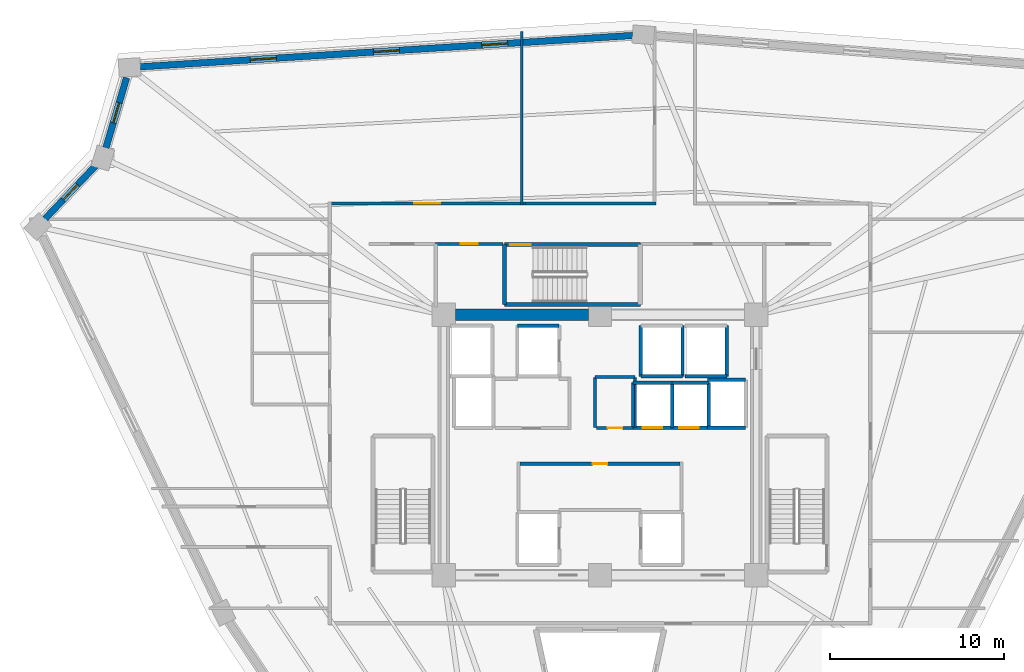
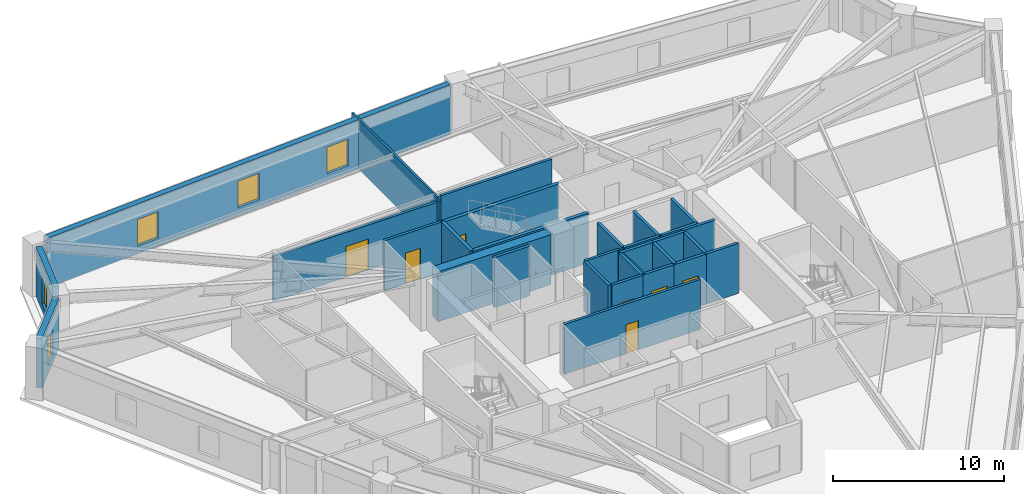
# One storey, part 5 of 9: 31 walls, 7 doors, 5 windows, 12 openings.
"""IFC4 building model written with IfcOpenShell, lengths in metres."""

from ifc_helpers import new_model, si_unit, direction, frame, frame_2d, origin, place, context, subcontext, project, spatial, rectangle, extrude, source, transform, mapped, material, layer, layer_set, type_object, element, fill, save


model = new_model("IFC4")

# Units and contexts
model_context = context("Model", 3, precision=1e-05, world=origin(), true_north=direction((0.0, 1.0)))
body_context = subcontext(model_context, "Body", "Model", "MODEL_VIEW")
ifc_project = project(units=[si_unit("LENGTHUNIT", "METRE"), si_unit("AREAUNIT", "SQUARE_METRE"), si_unit("VOLUMEUNIT", "CUBIC_METRE"), si_unit("PLANEANGLEUNIT", "RADIAN"), si_unit("MASSUNIT", "GRAM", prefix="KILO")], contexts=[model_context])

# Site, building, storey
site_placement = place(None, origin())
site = spatial("IfcSite", under=ifc_project, at=site_placement, CompositionType="ELEMENT")
building_placement = place(site_placement, origin())
building = spatial("IfcBuilding", under=site, at=building_placement, Name="Liaohun Quay Tower", CompositionType="ELEMENT")
storey_placement = place(building_placement, frame((0.0, 0.0, 236.25)))
storey = spatial("IfcBuildingStorey", under=building, at=storey_placement, Name="L61", CompositionType="ELEMENT", Elevation=236.25)

# Wall
ifc_material_1 = material(Name="Concrete C55", Category="concrete")
ifc_layer_1 = layer(ifc_material_1, 0.64990234375, Name="Concrete C55", Category="concrete")
ifc_layer_set_1 = layer_set([ifc_layer_1], Name="Concrete C55")
wall_type_1 = type_object("IfcWallType", Name="WAL-COR-Z3", PredefinedType="SHEAR", material=ifc_layer_set_1)
wall_1_placement = place(storey_placement, frame((51.675048828125, 61.5, 0.0), z_axis=(0.0, 0.0, 1.0), x_axis=(1.0, 0.0, 0.0)))
element("IfcWall", 1, at=wall_1_placement, inside=storey, type_object=wall_type_1, Name="L61 Central Core Shear Wall N-W", PredefinedType="SHEAR", context=body_context, shape_type="SweptSolid", body=[
    extrude(rectangle(XDim=7.64990234375, YDim=0.64990234375, at=frame_2d((3.824951171875, 0.0))), origin(), (0.0, 0.0, 1.0), 3.570068359375),
])

# Wall, openings, windows
ifc_material_2 = material(Name="Precast concrete C50 insulated sandwich", Category="concrete")
ifc_layer_2 = layer(ifc_material_2, 0.3798828125, Name="Precast concrete C50 insulated sandwich", Category="concrete")
ifc_layer_set_2 = layer_set([ifc_layer_2], Name="Precast concrete C50 insulated sandwich")
wall_type_2 = type_object("IfcWallType", Name="WAL-EXT-Z34", PredefinedType="SOLIDWALL", material=ifc_layer_set_2)
wall_2_placement = place(storey_placement, frame((61.876953125, 77.5810546875, 0.0), z_axis=(0.0, 0.0, 1.0), x_axis=(-0.997981063215, -0.063512183593, 0.0)))
wall_2 = element("IfcWall", 2, at=wall_2_placement, inside=storey, type_object=wall_type_2, Name="L61 Brutalist Precast Pier Wall 07", PredefinedType="SOLIDWALL", context=body_context, shape_type="SweptSolid", body=[
    extrude(rectangle(XDim=28.4033203125, YDim=0.3798828125, at=frame_2d((14.20166015625, 0.0))), origin(), (0.0, 0.0, 1.0), 3.570068359375),
])
shared_shape_1 = source(origin(), body_context, "Body", "SweptSolid", [
    extrude(rectangle(XDim=1.5, YDim=1.89990234375, at=frame_2d((0.75, 0.949951171875))), frame((0.0, 0.199951171875, 0.0), z_axis=(0.0, -1.0, 0.0), x_axis=(1.0, 0.0, 0.0)), (0.0, 0.0, 1.0), 0.39990234375),
])
opening_1_placement = place(wall_2_placement, frame((7.200927734375, 0.0, 0.550048828125)))
opening_1 = element("IfcOpeningElement", 3, at=opening_1_placement, cuts=wall_2, Name="Opening W03", PredefinedType="OPENING", context=body_context, shape_type="MappedRepresentation", body=[
    mapped(shared_shape_1, transform((0.0, 0.0, 0.0), x_axis=(1.0, 0.0, 0.0), y_axis=(0.0, 1.0, 0.0), z_axis=(0.0, 0.0, 1.0), scale=1.0)),
])
opening_2_placement = place(wall_2_placement, frame((13.451904296875, 0.0, 0.550048828125)))
opening_2 = element("IfcOpeningElement", 4, at=opening_2_placement, cuts=wall_2, Name="Opening W03", PredefinedType="OPENING", context=body_context, shape_type="MappedRepresentation", body=[
    mapped(shared_shape_1, transform((0.0, 0.0, 0.0), x_axis=(1.0, 0.0, 0.0), y_axis=(0.0, 1.0, 0.0), z_axis=(0.0, 0.0, 1.0), scale=1.0)),
])
opening_3_placement = place(wall_2_placement, frame((20.552978515625, 0.0, 0.550048828125)))
opening_3 = element("IfcOpeningElement", 5, at=opening_3_placement, cuts=wall_2, Name="Opening W03", PredefinedType="OPENING", context=body_context, shape_type="MappedRepresentation", body=[
    mapped(shared_shape_1, transform((0.0, 0.0, 0.0), x_axis=(1.0, 0.0, 0.0), y_axis=(0.0, 1.0, 0.0), z_axis=(0.0, 0.0, 1.0), scale=1.0)),
])
ifc_material_3 = material(Name="Triple Low-E argon glazing in thermally broken aluminium", Category="aluminium")
window_type_1 = type_object("IfcWindowType", Name="WIN-PUN-Z3", PartitioningType="DOUBLE_PANEL_VERTICAL", PredefinedType="WINDOW", material=ifc_material_3)
shared_shape_2 = source(origin(), body_context, "Body", "SweptSolid", [
    extrude(rectangle(XDim=1.5, YDim=1.89990234375, at=frame_2d((0.75, 0.949951171875))), frame((0.0, 0.030029296875, 0.0), z_axis=(0.0, -1.0, 0.0), x_axis=(1.0, 0.0, 0.0)), (0.0, 0.0, 1.0), 0.06005859375),
])
window_1_placement = place(opening_1_placement, origin())
window_1 = element("IfcWindow", 6, at=window_1_placement, inside=storey, type_object=window_type_1, Name="L61 Recessed Cold-Climate Punched Window 07-1", OverallHeight=1.89990234375, OverallWidth=1.5, PartitioningType="DOUBLE_PANEL_VERTICAL", PredefinedType="WINDOW", context=body_context, shape_type="MappedRepresentation", body=[
    mapped(shared_shape_2, transform((0.0, 0.0, 0.0), x_axis=(1.0, 0.0, 0.0), y_axis=(0.0, 1.0, 0.0), z_axis=(0.0, 0.0, 1.0), scale=1.0)),
])
fill(opening_1, window_1)
window_2_placement = place(opening_2_placement, origin())
window_2 = element("IfcWindow", 7, at=window_2_placement, inside=storey, type_object=window_type_1, Name="L61 Recessed Cold-Climate Punched Window 07-2", OverallHeight=1.89990234375, OverallWidth=1.5, PartitioningType="DOUBLE_PANEL_VERTICAL", PredefinedType="WINDOW", context=body_context, shape_type="MappedRepresentation", body=[
    mapped(shared_shape_2, transform((0.0, 0.0, 0.0), x_axis=(1.0, 0.0, 0.0), y_axis=(0.0, 1.0, 0.0), z_axis=(0.0, 0.0, 1.0), scale=1.0)),
])
fill(opening_2, window_2)
window_3_placement = place(opening_3_placement, origin())
window_3 = element("IfcWindow", 8, at=window_3_placement, inside=storey, type_object=window_type_1, Name="L61 Recessed Cold-Climate Punched Window 07-3", OverallHeight=1.89990234375, OverallWidth=1.5, PartitioningType="DOUBLE_PANEL_VERTICAL", PredefinedType="WINDOW", context=body_context, shape_type="MappedRepresentation", body=[
    mapped(shared_shape_2, transform((0.0, 0.0, 0.0), x_axis=(1.0, 0.0, 0.0), y_axis=(0.0, 1.0, 0.0), z_axis=(0.0, 0.0, 1.0), scale=1.0)),
])
fill(opening_3, window_3)

# Wall, opening, window
wall_3_placement = place(storey_placement, frame((32.742919921875, 75.14794921875, 0.0), z_axis=(0.0, 0.0, 1.0), x_axis=(-0.282502627228, -0.959266524804, 0.0)))
wall_3 = element("IfcWall", 9, at=wall_3_placement, inside=storey, type_object=wall_type_2, Name="L61 Brutalist Precast Pier Wall 08", PredefinedType="SOLIDWALL", context=body_context, shape_type="SweptSolid", body=[
    extrude(rectangle(XDim=4.205322265625, YDim=0.3798828125, at=frame_2d((2.1025390625, 0.0))), origin(), (0.0, 0.0, 1.0), 3.570068359375),
])
shared_shape_3 = source(origin(), body_context, "Body", "SweptSolid", [
    extrude(rectangle(XDim=1.199951171875, YDim=1.89990234375, at=frame_2d((0.60009765625, 0.949951171875))), frame((0.0, 0.199951171875, 0.0), z_axis=(0.0, -1.0, 0.0), x_axis=(1.0, 0.0, 0.0)), (0.0, 0.0, 1.0), 0.39990234375),
])
opening_4_placement = place(wall_3_placement, frame((1.5029296875, 0.0, 0.550048828125)))
opening_4 = element("IfcOpeningElement", 10, at=opening_4_placement, cuts=wall_3, Name="Opening W05", PredefinedType="OPENING", context=body_context, shape_type="MappedRepresentation", body=[
    mapped(shared_shape_3, transform((0.0, 0.0, 0.0), x_axis=(1.0, 0.0, 0.0), y_axis=(0.0, 1.0, 0.0), z_axis=(0.0, 0.0, 1.0), scale=1.0)),
])
ifc_material_4 = material(Name="Triple Low-E corner notch glazing", Category="glass")
window_type_2 = type_object("IfcWindowType", Name="WIN-NOTCH", PartitioningType="SINGLE_PANEL", PredefinedType="WINDOW", material=ifc_material_4)
shared_shape_4 = source(origin(), body_context, "Body", "SweptSolid", [
    extrude(rectangle(XDim=1.199951171875, YDim=1.89990234375, at=frame_2d((0.60009765625, 0.949951171875))), frame((0.0, 0.030029296875, 0.0), z_axis=(0.0, -1.0, 0.0), x_axis=(1.0, 0.0, 0.0)), (0.0, 0.0, 1.0), 0.06005859375),
])
window_4_placement = place(opening_4_placement, origin())
window_4 = element("IfcWindow", 11, at=window_4_placement, inside=storey, type_object=window_type_2, Name="L61 Corner Notch Window W05-08", OverallHeight=1.89990234375, OverallWidth=1.199951171875, PartitioningType="SINGLE_PANEL", PredefinedType="WINDOW", context=body_context, shape_type="MappedRepresentation", body=[
    mapped(shared_shape_4, transform((0.0, 0.0, 0.0), x_axis=(1.0, 0.0, 0.0), y_axis=(0.0, 1.0, 0.0), z_axis=(0.0, 0.0, 1.0), scale=1.0)),
])
fill(opening_4, window_4)

wall_4_placement = place(storey_placement, frame((30.95703125, 70.077880859375, 0.0), z_axis=(0.0, 0.0, 1.0), x_axis=(-0.689456996348, -0.724326618444, 0.0)))
wall_4 = element("IfcWall", 12, at=wall_4_placement, inside=storey, type_object=wall_type_2, Name="L61 Brutalist Precast Pier Wall 09", PredefinedType="SOLIDWALL", context=body_context, shape_type="SweptSolid", body=[
    extrude(rectangle(XDim=4.21484375, YDim=0.3798828125, at=frame_2d((2.107421875, 0.0))), origin(), (0.0, 0.0, 1.0), 3.570068359375),
])
opening_5_placement = place(wall_4_placement, frame((1.507080078125, 0.0, 0.550048828125)))
opening_5 = element("IfcOpeningElement", 13, at=opening_5_placement, cuts=wall_4, Name="Opening W05", PredefinedType="OPENING", context=body_context, shape_type="MappedRepresentation", body=[
    mapped(shared_shape_3, transform((0.0, 0.0, 0.0), x_axis=(1.0, 0.0, 0.0), y_axis=(0.0, 1.0, 0.0), z_axis=(0.0, 0.0, 1.0), scale=1.0)),
])
window_5_placement = place(opening_5_placement, origin())
window_5 = element("IfcWindow", 14, at=window_5_placement, inside=storey, type_object=window_type_2, Name="L61 Corner Notch Window W05-09", OverallHeight=1.89990234375, OverallWidth=1.199951171875, PartitioningType="SINGLE_PANEL", PredefinedType="WINDOW", context=body_context, shape_type="MappedRepresentation", body=[
    mapped(shared_shape_4, transform((0.0, 0.0, 0.0), x_axis=(1.0, 0.0, 0.0), y_axis=(0.0, 1.0, 0.0), z_axis=(0.0, 0.0, 1.0), scale=1.0)),
])
fill(opening_5, window_5)

# Wall, opening, door
ifc_material_5 = material(Name="Autoclaved aerated concrete blockwork", Category="masonry")
ifc_layer_3 = layer(ifc_material_5, 0.179931640625, Name="Autoclaved aerated concrete blockwork", Category="masonry")
ifc_layer_set_3 = layer_set([ifc_layer_3], Name="Autoclaved aerated concrete blockwork")
wall_type_3 = type_object("IfcWallType", Name="WAL-PRT-COR", PredefinedType="PARTITIONING", material=ifc_layer_set_3)
wall_5_placement = place(storey_placement, frame((55.389892578125, 52.919921875, 0.0), z_axis=(0.0, 0.0, 1.0), x_axis=(1.0, 0.0, 0.0)))
wall_5 = element("IfcWall", 15, at=wall_5_placement, inside=storey, type_object=wall_type_3, Name="L61 Interior Partition Wall 001", PredefinedType="PARTITIONING", context=body_context, shape_type="SweptSolid", body=[
    extrude(rectangle(XDim=9.22021484375, YDim=0.179931640625, at=frame_2d((4.610107421875, 0.0))), origin(), (0.0, 0.0, 1.0), 3.570068359375),
])
shared_shape_5 = source(origin(), body_context, "Body", "SweptSolid", [
    extrude(rectangle(XDim=0.85009765625, YDim=2.10009765625, at=frame_2d((0.425048828125, 1.050048828125))), frame((0.0, 0.099853515625, 0.0), z_axis=(0.0, -1.0, 0.0), x_axis=(1.0, 0.0, 0.0)), (0.0, 0.0, 1.0), 0.199951171875),
])
opening_6_placement = place(wall_5_placement, frame((4.18505859375, 0.0, 0.0)))
opening_6 = element("IfcOpeningElement", 16, at=opening_6_placement, cuts=wall_5, Name="Opening AD1", PredefinedType="OPENING", context=body_context, shape_type="MappedRepresentation", body=[
    mapped(shared_shape_5, transform((0.0, 0.0, 0.0), x_axis=(1.0, 0.0, 0.0), y_axis=(0.0, 1.0, 0.0), z_axis=(0.0, 0.0, 1.0), scale=1.0)),
])
ifc_material_6 = material(Name="Steel riser inspection fire door", Category="steel")
door_type_1 = type_object("IfcDoorType", Name="DOR-SHF-850", OperationType="NOTDEFINED", PredefinedType="DOOR", material=ifc_material_6)
shared_shape_6 = source(origin(), body_context, "Body", "SweptSolid", [
    extrude(rectangle(XDim=0.85009765625, YDim=2.10009765625, at=frame_2d((0.425048828125, 1.050048828125))), frame((0.0, 0.02490234375, 0.0), z_axis=(0.0, -1.0, 0.0), x_axis=(1.0, 0.0, 0.0)), (0.0, 0.0, 1.0), 0.050048828125),
])
door_1_placement = place(opening_6_placement, origin())
door_1 = element("IfcDoor", 17, at=door_1_placement, inside=storey, type_object=door_type_1, Name="L61 Core Tenant Storage and Archive Room Door", OperationType="SINGLE_SWING_LEFT", OverallHeight=2.10009765625, OverallWidth=0.85009765625, PredefinedType="DOOR", context=body_context, shape_type="MappedRepresentation", body=[
    mapped(shared_shape_6, transform((0.0, 0.0, 0.0), x_axis=(1.0, 0.0, 0.0), y_axis=(0.0, 1.0, 0.0), z_axis=(0.0, 0.0, 1.0), scale=1.0)),
])
fill(opening_6, door_1)

wall_6_placement = place(storey_placement, frame((59.81005859375, 54.97998046875, 0.0), z_axis=(0.0, 0.0, 1.0), x_axis=(1.0, 0.0, 0.0)))
wall_6 = element("IfcWall", 18, at=wall_6_placement, inside=storey, type_object=wall_type_3, Name="L61 Interior Partition Wall 003", PredefinedType="PARTITIONING", context=body_context, shape_type="SweptSolid", body=[
    extrude(rectangle(XDim=2.08984375, YDim=0.179931640625, at=frame_2d((1.044921875, 0.0))), origin(), (0.0, 0.0, 1.0), 3.570068359375),
])
opening_7_placement = place(wall_6_placement, frame((0.635009765625, 0.0, 0.0)))
opening_7 = element("IfcOpeningElement", 19, at=opening_7_placement, cuts=wall_6, Name="Opening AD1", PredefinedType="OPENING", context=body_context, shape_type="MappedRepresentation", body=[
    mapped(shared_shape_5, transform((0.0, 0.0, 0.0), x_axis=(1.0, 0.0, 0.0), y_axis=(0.0, 1.0, 0.0), z_axis=(0.0, 0.0, 1.0), scale=1.0)),
])
door_2_placement = place(opening_7_placement, origin())
door_2 = element("IfcDoor", 20, at=door_2_placement, inside=storey, type_object=door_type_1, Name="L61 Core Electrical and Telecom Riser Room Door", OperationType="SINGLE_SWING_LEFT", OverallHeight=2.10009765625, OverallWidth=0.85009765625, PredefinedType="DOOR", context=body_context, shape_type="MappedRepresentation", body=[
    mapped(shared_shape_6, transform((0.0, 0.0, 0.0), x_axis=(1.0, 0.0, 0.0), y_axis=(0.0, 1.0, 0.0), z_axis=(0.0, 0.0, 1.0), scale=1.0)),
])
fill(opening_7, door_2)

wall_7_placement = place(storey_placement, frame((50.5400390625, 65.580078125, 0.0), z_axis=(0.0, 0.0, 1.0), x_axis=(1.0, 0.0, 0.0)))
wall_7 = element("IfcWall", 21, at=wall_7_placement, inside=storey, type_object=wall_type_3, Name="L61 Interior Partition Wall 007", PredefinedType="PARTITIONING", context=body_context, shape_type="SweptSolid", body=[
    extrude(rectangle(XDim=3.869873046875, YDim=0.179931640625, at=frame_2d((1.93505859375, 0.0))), origin(), (0.0, 0.0, 1.0), 3.570068359375),
])
shared_shape_7 = source(origin(), body_context, "Body", "SweptSolid", [
    extrude(rectangle(XDim=1.0, YDim=2.199951171875, at=frame_2d((0.5, 1.10009765625))), frame((0.0, 0.099853515625, 0.0), z_axis=(0.0, -1.0, 0.0), x_axis=(1.0, 0.0, 0.0)), (0.0, 0.0, 1.0), 0.199951171875),
])
opening_8_placement = place(wall_7_placement, frame((1.43505859375, 0.0, 0.0)))
opening_8 = element("IfcOpeningElement", 22, at=opening_8_placement, cuts=wall_7, Name="Opening OD1", PredefinedType="OPENING", context=body_context, shape_type="MappedRepresentation", body=[
    mapped(shared_shape_7, transform((0.0, 0.0, 0.0), x_axis=(1.0, 0.0, 0.0), y_axis=(0.0, 1.0, 0.0), z_axis=(0.0, 0.0, 1.0), scale=1.0)),
])
ifc_material_7 = material(Name="Solid-core oak veneer timber leaf in steel frame", Category="steel")
door_type_2 = type_object("IfcDoorType", Name="DOR-OFF-1000", OperationType="NOTDEFINED", PredefinedType="DOOR", material=ifc_material_7)
shared_shape_8 = source(origin(), body_context, "Body", "SweptSolid", [
    extrude(rectangle(XDim=1.0, YDim=2.199951171875, at=frame_2d((0.5, 1.10009765625))), frame((0.0, 0.02490234375, 0.0), z_axis=(0.0, -1.0, 0.0), x_axis=(1.0, 0.0, 0.0)), (0.0, 0.0, 1.0), 0.050048828125),
])
door_3_placement = place(opening_8_placement, origin())
door_3 = element("IfcDoor", 23, at=door_3_placement, inside=storey, type_object=door_type_2, Name="L61 North-West Print and Telecom Room Door", OperationType="SINGLE_SWING_LEFT", OverallHeight=2.199951171875, OverallWidth=1.0, PredefinedType="DOOR", context=body_context, shape_type="MappedRepresentation", body=[
    mapped(shared_shape_8, transform((0.0, 0.0, 0.0), x_axis=(1.0, 0.0, 0.0), y_axis=(0.0, 1.0, 0.0), z_axis=(0.0, 0.0, 1.0), scale=1.0)),
])
fill(opening_8, door_3)

wall_8_placement = place(storey_placement, frame((44.3701171875, 67.909912109375, 0.0), z_axis=(0.0, 0.0, 1.0), x_axis=(1.0, 0.0, 0.0)))
wall_8 = element("IfcWall", 24, at=wall_8_placement, inside=storey, type_object=wall_type_3, Name="L61 Interior Partition Wall 015", PredefinedType="PARTITIONING", context=body_context, shape_type="SweptSolid", body=[
    extrude(rectangle(XDim=11.344970703125, YDim=0.179931640625, at=frame_2d((5.67236328125, 0.0))), origin(), (0.0, 0.0, 1.0), 3.205078125),
])
shared_shape_9 = source(origin(), body_context, "Body", "SweptSolid", [
    extrude(rectangle(XDim=1.5, YDim=2.199951171875, at=frame_2d((0.75, 1.10009765625))), frame((0.0, 0.099853515625, 0.0), z_axis=(0.0, -1.0, 0.0), x_axis=(1.0, 0.0, 0.0)), (0.0, 0.0, 1.0), 0.199951171875),
])
opening_9_placement = place(wall_8_placement, frame((4.923095703125, 0.0, 0.0)))
opening_9 = element("IfcOpeningElement", 25, at=opening_9_placement, cuts=wall_8, Name="Opening OD2", PredefinedType="OPENING", context=body_context, shape_type="MappedRepresentation", body=[
    mapped(shared_shape_9, transform((0.0, 0.0, 0.0), x_axis=(1.0, 0.0, 0.0), y_axis=(0.0, 1.0, 0.0), z_axis=(0.0, 0.0, 1.0), scale=1.0)),
])
ifc_material_8 = material(Name="Acoustic oak veneer double door")
door_type_3 = type_object("IfcDoorType", Name="DOR-OFF-1500", OperationType="DOUBLE_DOOR_SINGLE_SWING", PredefinedType="DOOR", material=ifc_material_8)
shared_shape_10 = source(origin(), body_context, "Body", "SweptSolid", [
    extrude(rectangle(XDim=1.5, YDim=2.199951171875, at=frame_2d((0.75, 1.10009765625))), frame((0.0, 0.02490234375, 0.0), z_axis=(0.0, -1.0, 0.0), x_axis=(1.0, 0.0, 0.0)), (0.0, 0.0, 1.0), 0.050048828125),
])
door_4_placement = place(opening_9_placement, origin())
door_4 = element("IfcDoor", 26, at=door_4_placement, inside=storey, type_object=door_type_3, Name="L61 Engineering Model Workshop 05 Door", OperationType="DOUBLE_DOOR_SINGLE_SWING", OverallHeight=2.199951171875, OverallWidth=1.5, PredefinedType="DOOR", context=body_context, shape_type="MappedRepresentation", body=[
    mapped(shared_shape_10, transform((0.0, 0.0, 0.0), x_axis=(1.0, 0.0, 0.0), y_axis=(0.0, 1.0, 0.0), z_axis=(0.0, 0.0, 1.0), scale=1.0)),
])
fill(opening_9, door_4)

# Walls
for number, where, z_axis, x_axis, name in (
    (27, (59.719970703125, 55.02001953125, 0.0), (0.0, 0.0, 1.0), (0.0, 1.0, 0.0), "L61 Interior Partition Wall 021"),
    (28, (62.010009765625, 55.02001953125, 0.0), (0.0, 0.0, 1.0), (0.0, 1.0, 0.0), "L61 Interior Partition Wall 022"),
):
    element("IfcWall", number, at=place(storey_placement, frame(where, z_axis=z_axis, x_axis=x_axis)), inside=storey, type_object=wall_type_3, Name=name, PredefinedType="PARTITIONING", context=body_context, shape_type="SweptSolid", body=[
        extrude(rectangle(XDim=2.8798828125, YDim=0.179931640625, at=frame_2d((1.43994140625, 0.0))), origin(), (0.0, 0.0, 1.0), 3.570068359375),
    ])
wall_9_placement = place(storey_placement, frame((59.719970703125, 57.919921875, 0.0), z_axis=(0.0, 0.0, 1.0), x_axis=(1.0, 0.0, 0.0)))
element("IfcWall", 29, at=wall_9_placement, inside=storey, type_object=wall_type_3, Name="L61 Interior Partition Wall 023", PredefinedType="PARTITIONING", context=body_context, shape_type="SweptSolid", body=[
    extrude(rectangle(XDim=2.2900390625, YDim=0.179931640625, at=frame_2d((1.14501953125, 0.0))), origin(), (0.0, 0.0, 1.0), 3.570068359375),
])
wall_10_placement = place(storey_placement, frame((55.715087890625, 67.909912109375, 0.0), z_axis=(0.0, 0.0, 1.0), x_axis=(1.0, 0.0, 0.0)))
element("IfcWall", 30, at=wall_10_placement, inside=storey, type_object=wall_type_3, Name="L61 Interior Partition Wall 033", PredefinedType="PARTITIONING", context=body_context, shape_type="SweptSolid", body=[
    extrude(rectangle(XDim=7.494873046875, YDim=0.179931640625, at=frame_2d((3.74755859375, 0.0))), origin(), (0.0, 0.0, 1.0), 3.570068359375),
])
ifc_material_9 = material(Name="Gypsum board on twin steel studs", Category="steel")
ifc_layer_4 = layer(ifc_material_9, 0.139892578125, Name="Gypsum board on twin steel studs", Category="steel")
ifc_layer_set_4 = layer_set([ifc_layer_4], Name="Gypsum board on twin steel studs")
wall_type_4 = type_object("IfcWallType", Name="WAL-PRT-OFF", PredefinedType="PARTITIONING", material=ifc_layer_set_4)
wall_11_placement = place(storey_placement, frame((55.5, 67.81005859375, 0.0), z_axis=(0.0, 0.0, 1.0), x_axis=(0.0, 1.0, 0.0)))
element("IfcWall", 31, at=wall_11_placement, inside=storey, type_object=wall_type_4, Name="L61 Interior Partition Wall 047", PredefinedType="PARTITIONING", context=body_context, shape_type="SweptSolid", body=[
    extrude(rectangle(XDim=9.995849609375, YDim=0.139892578125, at=frame_2d((4.998046875, 0.0))), origin(), (0.0, 0.0, 1.0), 3.570068359375),
])
ifc_material_10 = material(Name="Concrete C50", Category="concrete")
ifc_layer_5 = layer(ifc_material_10, 0.239990234375, Name="Concrete C50", Category="concrete")
ifc_layer_set_5 = layer_set([ifc_layer_5], Name="Concrete C50")
wall_type_5 = type_object("IfcWallType", Name="WAL-SHF-200", PredefinedType="SOLIDWALL", material=ifc_layer_set_5)
wall_12_placement = place(storey_placement, frame((54.5, 62.10009765625, 0.0), z_axis=(0.0, 0.0, 1.0), x_axis=(1.0, 0.0, 0.0)))
element("IfcWall", 32, at=wall_12_placement, inside=storey, type_object=wall_type_5, Name="L61 Stairwell ST-3 Structural Core Wall S", PredefinedType="SOLIDWALL", context=body_context, shape_type="SweptSolid", body=[
    extrude(rectangle(XDim=7.820068359375, YDim=0.239990234375, at=frame_2d((3.91015625, 0.0))), origin(), (0.0, 0.0, 1.0), 3.570068359375),
])

# Wall, opening, door
wall_13_placement = place(storey_placement, frame((62.320068359375, 65.5400390625, 0.0), z_axis=(0.0, 0.0, 1.0), x_axis=(-1.0, 0.0, 0.0)))
wall_13 = element("IfcWall", 33, at=wall_13_placement, inside=storey, type_object=wall_type_5, Name="L61 Stairwell ST-3 Structural Core Wall N", PredefinedType="SOLIDWALL", context=body_context, shape_type="SweptSolid", body=[
    extrude(rectangle(XDim=7.820068359375, YDim=0.239990234375, at=frame_2d((3.91015625, 0.0))), origin(), (0.0, 0.0, 1.0), 3.570068359375),
])
shared_shape_11 = source(origin(), body_context, "Body", "SweptSolid", [
    extrude(rectangle(XDim=1.199951171875, YDim=2.199951171875, at=frame_2d((0.60009765625, 1.10009765625))), frame((0.0, 0.1298828125, 0.0), z_axis=(0.0, -1.0, 0.0), x_axis=(1.0, 0.0, 0.0)), (0.0, 0.0, 1.0), 0.260009765625),
])
opening_10_placement = place(wall_13_placement, frame((6.300048828125, 0.0, 0.0)))
opening_10 = element("IfcOpeningElement", 34, at=opening_10_placement, cuts=wall_13, Name="Opening SD1", PredefinedType="OPENING", context=body_context, shape_type="MappedRepresentation", body=[
    mapped(shared_shape_11, transform((0.0, 0.0, 0.0), x_axis=(1.0, 0.0, 0.0), y_axis=(0.0, 1.0, 0.0), z_axis=(0.0, 0.0, 1.0), scale=1.0)),
])
ifc_material_11 = material(Name="Galvanised steel fire door", Category="steel")
door_type_4 = type_object("IfcDoorType", Name="DOR-STR-1200", OperationType="NOTDEFINED", PredefinedType="DOOR", material=ifc_material_11)
shared_shape_12 = source(origin(), body_context, "Body", "SweptSolid", [
    extrude(rectangle(XDim=1.199951171875, YDim=2.199951171875, at=frame_2d((0.60009765625, 1.10009765625))), frame((0.0, 0.02490234375, 0.0), z_axis=(0.0, -1.0, 0.0), x_axis=(1.0, 0.0, 0.0)), (0.0, 0.0, 1.0), 0.050048828125),
])
door_5_placement = place(opening_10_placement, origin())
door_5 = element("IfcDoor", 35, at=door_5_placement, inside=storey, type_object=door_type_4, Name="L61 Protected Stair ST-3 Fire Door", OperationType="SINGLE_SWING_RIGHT", OverallHeight=2.199951171875, OverallWidth=1.199951171875, PredefinedType="DOOR", context=body_context, shape_type="MappedRepresentation", body=[
    mapped(shared_shape_12, transform((0.0, 0.0, 0.0), x_axis=(1.0, 0.0, 0.0), y_axis=(0.0, 1.0, 0.0), z_axis=(0.0, 0.0, 1.0), scale=1.0)),
])
fill(opening_10, door_5)

# Walls
wall_14_placement = place(storey_placement, frame((54.5, 65.5400390625, 0.0), z_axis=(0.0, 0.0, 1.0), x_axis=(0.0, -1.0, 0.0)))
element("IfcWall", 36, at=wall_14_placement, inside=storey, type_object=wall_type_5, Name="L61 Stairwell ST-3 Structural Core Wall W", PredefinedType="SOLIDWALL", context=body_context, shape_type="SweptSolid", body=[
    extrude(rectangle(XDim=3.43994140625, YDim=0.239990234375, at=frame_2d((1.719970703125, 0.0))), origin(), (0.0, 0.0, 1.0), 3.570068359375),
])
for number, where, z_axis, x_axis, name in (
    (37, (57.64990234375, 60.8798828125, 0.0), (0.0, 0.0, 1.0), (-1.0, 0.0, 0.0), "L61 Lift FF-03 Hoistway Wall N"),
    (38, (62.35009765625, 57.949951171875, 0.0), (0.0, 0.0, 1.0), (1.0, 0.0, 0.0), "L61 Lift OB-01 Hoistway Wall S"),
):
    element("IfcWall", number, at=place(storey_placement, frame(where, z_axis=z_axis, x_axis=x_axis)), inside=storey, type_object=wall_type_5, Name=name, PredefinedType="SOLIDWALL", context=body_context, shape_type="SweptSolid", body=[
        extrude(rectangle(XDim=2.39990234375, YDim=0.199951171875, at=frame_2d((1.199951171875, 0.0))), origin(), (0.0, 0.0, 1.0), 3.570068359375),
    ])
for number, where, z_axis, x_axis, name in (
    (39, (64.75, 57.949951171875, 0.0), (0.0, 0.0, 1.0), (0.0, 1.0, 0.0), "L61 Lift OB-01 Hoistway Wall E"),
    (40, (62.35009765625, 60.8798828125, 0.0), (0.0, 0.0, 1.0), (0.0, -1.0, 0.0), "L61 Lift OB-01 Hoistway Wall W"),
):
    element("IfcWall", number, at=place(storey_placement, frame(where, z_axis=z_axis, x_axis=x_axis)), inside=storey, type_object=wall_type_5, Name=name, PredefinedType="SOLIDWALL", context=body_context, shape_type="SweptSolid", body=[
        extrude(rectangle(XDim=2.929931640625, YDim=0.199951171875, at=frame_2d((1.46484375, 0.0))), origin(), (0.0, 0.0, 1.0), 3.570068359375),
    ])
wall_15_placement = place(storey_placement, frame((64.89990234375, 57.949951171875, 0.0), z_axis=(0.0, 0.0, 1.0), x_axis=(1.0, 0.0, 0.0)))
element("IfcWall", 41, at=wall_15_placement, inside=storey, type_object=wall_type_5, Name="L61 Lift OB-02 Hoistway Wall S", PredefinedType="SOLIDWALL", context=body_context, shape_type="SweptSolid", body=[
    extrude(rectangle(XDim=2.400146484375, YDim=0.199951171875, at=frame_2d((1.2001953125, 0.0))), origin(), (0.0, 0.0, 1.0), 3.570068359375),
])
wall_16_placement = place(storey_placement, frame((67.300048828125, 57.949951171875, 0.0), z_axis=(0.0, 0.0, 1.0), x_axis=(0.0, 1.0, 0.0)))
element("IfcWall", 42, at=wall_16_placement, inside=storey, type_object=wall_type_5, Name="L61 Lift OB-02 Hoistway Wall E", PredefinedType="SOLIDWALL", context=body_context, shape_type="SweptSolid", body=[
    extrude(rectangle(XDim=2.929931640625, YDim=0.199951171875, at=frame_2d((1.46484375, 0.0))), origin(), (0.0, 0.0, 1.0), 3.570068359375),
])
for number, where, z_axis, x_axis, name in (
    (43, (66.199951171875, 55.0, 0.0), (0.0, 0.0, 1.0), (1.0, 0.0, 0.0), "L61 Lift SH-03 Hoistway Wall S"),
    (44, (68.3798828125, 57.75, 0.0), (0.0, 0.0, 1.0), (-1.0, 0.0, 0.0), "L61 Lift SH-03 Hoistway Wall N"),
):
    element("IfcWall", number, at=place(storey_placement, frame(where, z_axis=z_axis, x_axis=x_axis)), inside=storey, type_object=wall_type_5, Name=name, PredefinedType="SOLIDWALL", context=body_context, shape_type="SweptSolid", body=[
        extrude(rectangle(XDim=2.179931640625, YDim=0.199951171875, at=frame_2d((1.08984375, 0.0))), origin(), (0.0, 0.0, 1.0), 3.570068359375),
    ])

# Wall, opening, door
wall_17_placement = place(storey_placement, frame((61.89990234375, 55.0, 0.0), z_axis=(0.0, 0.0, 1.0), x_axis=(1.0, 0.0, 0.0)))
wall_17 = element("IfcWall", 45, at=wall_17_placement, inside=storey, type_object=wall_type_5, Name="L61 Lift PL-3A Hoistway Wall S", PredefinedType="SOLIDWALL", context=body_context, shape_type="SweptSolid", body=[
    extrude(rectangle(XDim=2.25, YDim=0.199951171875, at=frame_2d((1.125, 0.0))), origin(), (0.0, 0.0, 1.0), 3.570068359375),
])
shared_shape_13 = source(origin(), body_context, "Body", "SweptSolid", [
    extrude(rectangle(XDim=1.10009765625, YDim=2.199951171875, at=frame_2d((0.550048828125, 1.10009765625))), frame((0.0, 0.10986328125, 0.0), z_axis=(0.0, -1.0, 0.0), x_axis=(1.0, 0.0, 0.0)), (0.0, 0.0, 1.0), 0.219970703125),
])
opening_11_placement = place(wall_17_placement, frame((0.574951171875, 0.0, 0.0)))
opening_11 = element("IfcOpeningElement", 46, at=opening_11_placement, cuts=wall_17, Name="Opening LD1", PredefinedType="OPENING", context=body_context, shape_type="MappedRepresentation", body=[
    mapped(shared_shape_13, transform((0.0, 0.0, 0.0), x_axis=(1.0, 0.0, 0.0), y_axis=(0.0, 1.0, 0.0), z_axis=(0.0, 0.0, 1.0), scale=1.0)),
])
ifc_material_12 = material(Name="Brushed stainless steel landing door", Category="steel")
door_type_5 = type_object("IfcDoorType", Name="DOR-LFT-1100", OperationType="SLIDING_TO_LEFT", PredefinedType="DOOR", material=ifc_material_12)
shared_shape_14 = source(origin(), body_context, "Body", "SweptSolid", [
    extrude(rectangle(XDim=1.10009765625, YDim=2.199951171875, at=frame_2d((0.550048828125, 1.10009765625))), frame((0.0, 0.02490234375, 0.0), z_axis=(0.0, -1.0, 0.0), x_axis=(1.0, 0.0, 0.0)), (0.0, 0.0, 1.0), 0.050048828125),
])
door_6_placement = place(opening_11_placement, origin())
door_6 = element("IfcDoor", 47, at=door_6_placement, inside=storey, type_object=door_type_5, Name="L61 Lift PL-3A Sliding Landing Door", OperationType="SLIDING_TO_LEFT", OverallHeight=2.199951171875, OverallWidth=1.10009765625, PredefinedType="DOOR", context=body_context, shape_type="MappedRepresentation", body=[
    mapped(shared_shape_14, transform((0.0, 0.0, 0.0), x_axis=(1.0, 0.0, 0.0), y_axis=(0.0, 1.0, 0.0), z_axis=(0.0, 0.0, 1.0), scale=1.0)),
])
fill(opening_11, door_6)

# Walls
wall_18_placement = place(storey_placement, frame((64.14990234375, 55.0, 0.0), z_axis=(0.0, 0.0, 1.0), x_axis=(0.0, 1.0, 0.0)))
element("IfcWall", 48, at=wall_18_placement, inside=storey, type_object=wall_type_5, Name="L61 Lift PL-3A Hoistway Wall E", PredefinedType="SOLIDWALL", context=body_context, shape_type="SweptSolid", body=[
    extrude(rectangle(XDim=2.60009765625, YDim=0.199951171875, at=frame_2d((1.300048828125, 0.0))), origin(), (0.0, 0.0, 1.0), 3.570068359375),
])
wall_19_placement = place(storey_placement, frame((64.14990234375, 57.60009765625, 0.0), z_axis=(0.0, 0.0, 1.0), x_axis=(-1.0, 0.0, 0.0)))
element("IfcWall", 49, at=wall_19_placement, inside=storey, type_object=wall_type_5, Name="L61 Lift PL-3A Hoistway Wall N", PredefinedType="SOLIDWALL", context=body_context, shape_type="SweptSolid", body=[
    extrude(rectangle(XDim=2.25, YDim=0.199951171875, at=frame_2d((1.125, 0.0))), origin(), (0.0, 0.0, 1.0), 3.570068359375),
])
wall_20_placement = place(storey_placement, frame((61.89990234375, 57.60009765625, 0.0), z_axis=(0.0, 0.0, 1.0), x_axis=(0.0, -1.0, 0.0)))
element("IfcWall", 50, at=wall_20_placement, inside=storey, type_object=wall_type_5, Name="L61 Lift PL-3A Hoistway Wall W", PredefinedType="SOLIDWALL", context=body_context, shape_type="SweptSolid", body=[
    extrude(rectangle(XDim=2.60009765625, YDim=0.199951171875, at=frame_2d((1.300048828125, 0.0))), origin(), (0.0, 0.0, 1.0), 3.570068359375),
])

# Wall, opening, door
wall_21_placement = place(storey_placement, frame((64.0, 55.0, 0.0), z_axis=(0.0, 0.0, 1.0), x_axis=(1.0, 0.0, 0.0)))
wall_21 = element("IfcWall", 51, at=wall_21_placement, inside=storey, type_object=wall_type_5, Name="L61 Lift PL-3B Hoistway Wall S", PredefinedType="SOLIDWALL", context=body_context, shape_type="SweptSolid", body=[
    extrude(rectangle(XDim=2.25, YDim=0.199951171875, at=frame_2d((1.125, 0.0))), origin(), (0.0, 0.0, 1.0), 3.570068359375),
])
opening_12_placement = place(wall_21_placement, frame((0.574951171875, 0.0, 0.0)))
opening_12 = element("IfcOpeningElement", 52, at=opening_12_placement, cuts=wall_21, Name="Opening LD1", PredefinedType="OPENING", context=body_context, shape_type="MappedRepresentation", body=[
    mapped(shared_shape_13, transform((0.0, 0.0, 0.0), x_axis=(1.0, 0.0, 0.0), y_axis=(0.0, 1.0, 0.0), z_axis=(0.0, 0.0, 1.0), scale=1.0)),
])
door_7_placement = place(opening_12_placement, origin())
door_7 = element("IfcDoor", 53, at=door_7_placement, inside=storey, type_object=door_type_5, Name="L61 Lift PL-3B Sliding Landing Door", OperationType="SLIDING_TO_LEFT", OverallHeight=2.199951171875, OverallWidth=1.10009765625, PredefinedType="DOOR", context=body_context, shape_type="MappedRepresentation", body=[
    mapped(shared_shape_14, transform((0.0, 0.0, 0.0), x_axis=(1.0, 0.0, 0.0), y_axis=(0.0, 1.0, 0.0), z_axis=(0.0, 0.0, 1.0), scale=1.0)),
])
fill(opening_12, door_7)

# Walls
wall_22_placement = place(storey_placement, frame((66.25, 55.0, 0.0), z_axis=(0.0, 0.0, 1.0), x_axis=(0.0, 1.0, 0.0)))
element("IfcWall", 54, at=wall_22_placement, inside=storey, type_object=wall_type_5, Name="L61 Lift PL-3B Hoistway Wall E", PredefinedType="SOLIDWALL", context=body_context, shape_type="SweptSolid", body=[
    extrude(rectangle(XDim=2.60009765625, YDim=0.199951171875, at=frame_2d((1.300048828125, 0.0))), origin(), (0.0, 0.0, 1.0), 3.570068359375),
])
wall_23_placement = place(storey_placement, frame((66.25, 57.60009765625, 0.0), z_axis=(0.0, 0.0, 1.0), x_axis=(-1.0, 0.0, 0.0)))
element("IfcWall", 55, at=wall_23_placement, inside=storey, type_object=wall_type_5, Name="L61 Lift PL-3B Hoistway Wall N", PredefinedType="SOLIDWALL", context=body_context, shape_type="SweptSolid", body=[
    extrude(rectangle(XDim=2.25, YDim=0.199951171875, at=frame_2d((1.125, 0.0))), origin(), (0.0, 0.0, 1.0), 3.570068359375),
])

save(model, "model.ifc")
